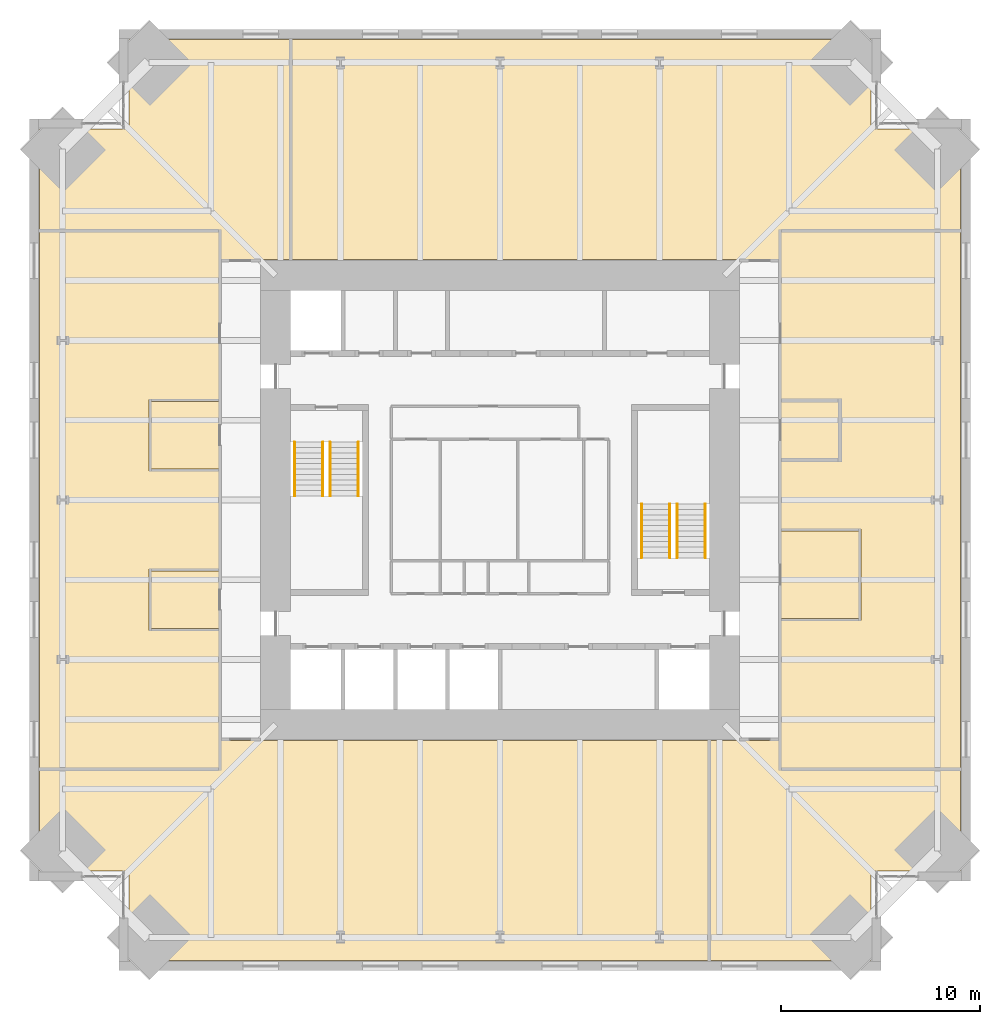
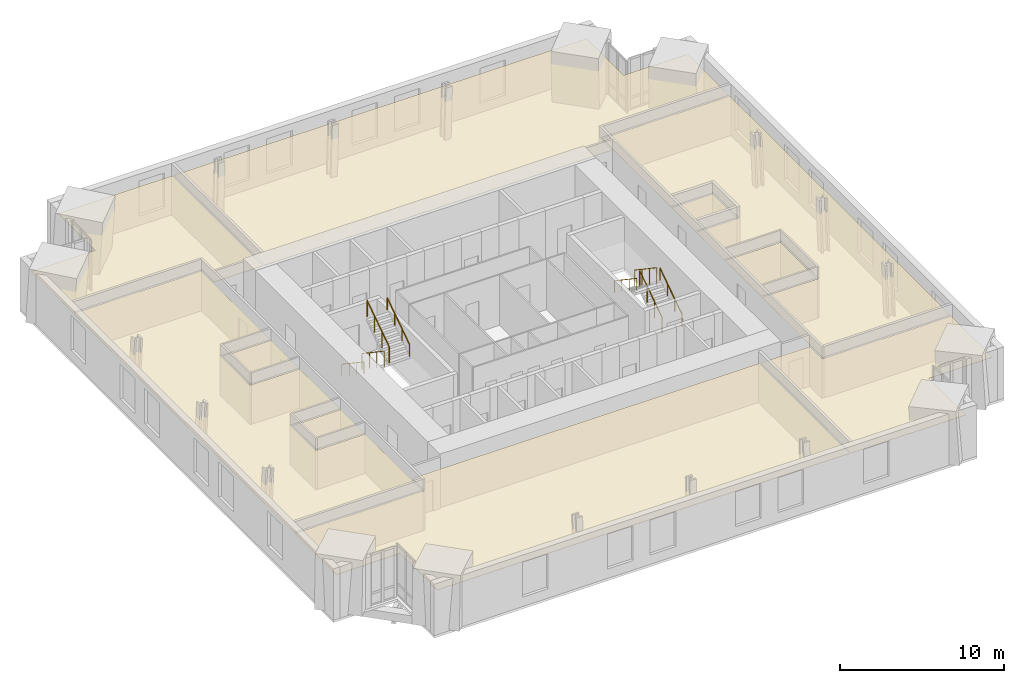
# One storey, part 14 of 14: 10 coverings, 8 railings.
"""IFC4 building model written with IfcOpenShell, lengths in metres."""

from ifc_helpers import new_model, si_unit, direction, frame, origin, origin_2d, place, context, subcontext, project, spatial, polyline, circle, outline, extrude, material, layer, layer_set, type_object, element, save


model = new_model("IFC4")

# Units and contexts
model_context = context("Model", 3, precision=1e-05, world=origin(), true_north=direction((0.0, 1.0)))
body_context = subcontext(model_context, "Body", "Model", "MODEL_VIEW")
ifc_project = project(units=[si_unit("LENGTHUNIT", "METRE"), si_unit("AREAUNIT", "SQUARE_METRE"), si_unit("VOLUMEUNIT", "CUBIC_METRE"), si_unit("PLANEANGLEUNIT", "RADIAN"), si_unit("MASSUNIT", "GRAM", prefix="KILO")], contexts=[model_context])

# Site, building, storey
site_placement = place(None, origin())
site = spatial("IfcSite", under=ifc_project, at=site_placement, CompositionType="ELEMENT")
building_placement = place(site_placement, origin())
building = spatial("IfcBuilding", under=site, at=building_placement, Name="Peilmerk Tower", CompositionType="ELEMENT")
storey_placement = place(building_placement, frame((0.0, 0.0, 221.800048828125)))
storey = spatial("IfcBuildingStorey", under=building, at=storey_placement, Name="L48", CompositionType="ELEMENT", Elevation=221.800048828125)

# Coverings
ifc_material_1 = material(Name="Mineral fibre ceiling tiles", Category="mineral")
ifc_layer = layer(ifc_material_1, 0.02490234375)
ifc_layer_set = layer_set([ifc_layer], Name="Mineral fibre ceiling tiles")
covering_type = type_object("IfcCoveringType", Name="CL1 25 suspended ceiling", PredefinedType="CEILING", material=ifc_layer_set)
covering_1_placement = place(storey_placement, frame((0.0, 0.0, 2.905029296875)))
element("IfcCovering", 1, at=covering_1_placement, inside=storey, type_object=covering_type, Name="Suspended ceiling Tenant suite", PredefinedType="CEILING", context=body_context, shape_type="SweptSolid", body=[
    extrude(outline(polyline([(-23.10009765625, 18.60009765625), (-23.10009765625, 13.550048828125), (-14.0, 13.550048828125), (-14.0, 12.050048828125), (-10.550048828125, 12.050048828125), (-10.550048828125, 23.10009765625), (-18.60009765625, 23.10009765625), (-18.60009765625, 18.60009765625), (-23.10009765625, 18.60009765625)])), origin(), (0.0, 0.0, 1.0), 0.02490234375),
])
covering_2_placement = place(storey_placement, frame((0.0, 0.0, 2.905029296875)))
element("IfcCovering", 2, at=covering_2_placement, inside=storey, type_object=covering_type, Name="Suspended ceiling Tenant suite", PredefinedType="CEILING", context=body_context, shape_type="SweptSolid", body=[
    extrude(outline(polyline([(18.60009765625, 23.10009765625), (-10.449951171875, 23.10009765625), (-10.449951171875, 12.050048828125), (14.0, 12.050048828125), (14.0, 13.550048828125), (23.10009765625, 13.550048828125), (23.10009765625, 18.60009765625), (18.60009765625, 18.60009765625), (18.60009765625, 23.10009765625)])), origin(), (0.0, 0.0, 1.0), 0.02490234375),
])
covering_3_placement = place(storey_placement, frame((0.0, 0.0, 2.905029296875)))
element("IfcCovering", 3, at=covering_3_placement, inside=storey, type_object=covering_type, Name="Suspended ceiling Tenant suite", PredefinedType="CEILING", context=body_context, shape_type="SweptSolid", body=[
    extrude(outline(polyline([(-18.60009765625, -23.10009765625), (10.449951171875, -23.10009765625), (10.449951171875, -12.050048828125), (-14.0, -12.050048828125), (-14.0, -13.550048828125), (-23.10009765625, -13.550048828125), (-23.10009765625, -18.60009765625), (-18.60009765625, -18.60009765625), (-18.60009765625, -23.10009765625)])), origin(), (0.0, 0.0, 1.0), 0.02490234375),
])
covering_4_placement = place(storey_placement, frame((0.0, 0.0, 2.905029296875)))
element("IfcCovering", 4, at=covering_4_placement, inside=storey, type_object=covering_type, Name="Suspended ceiling Open workspace", PredefinedType="CEILING", context=body_context, shape_type="SweptSolid", body=[
    extrude(outline(polyline([(10.550048828125, -23.10009765625), (18.60009765625, -23.10009765625), (18.60009765625, -18.60009765625), (23.10009765625, -18.60009765625), (23.10009765625, -13.550048828125), (14.0, -13.550048828125), (14.0, -12.050048828125), (10.550048828125, -12.050048828125), (10.550048828125, -23.10009765625)])), origin(), (0.0, 0.0, 1.0), 0.02490234375),
])
covering_5_placement = place(storey_placement, frame((0.0, 0.0, 2.905029296875)))
element("IfcCovering", 5, at=covering_5_placement, inside=storey, type_object=covering_type, Name="Suspended ceiling Office", PredefinedType="CEILING", context=body_context, shape_type="SweptSolid", body=[
    extrude(outline(polyline([(14.10009765625, -13.449951171875), (23.10009765625, -13.449951171875), (23.10009765625, 13.449951171875), (14.10009765625, 13.449951171875), (14.10009765625, 5.050048828125), (17.10009765625, 5.050048828125), (17.10009765625, 1.949951171875), (14.10009765625, 1.949951171875), (14.10009765625, -1.449951171875), (18.10009765625, -1.449951171875), (18.10009765625, -6.050048828125), (14.10009765625, -6.050048828125), (14.10009765625, -13.449951171875)])), origin(), (0.0, 0.0, 1.0), 0.02490234375),
])
covering_6_placement = place(storey_placement, frame((0.0, 0.0, 2.905029296875)))
element("IfcCovering", 6, at=covering_6_placement, inside=storey, type_object=covering_type, Name="Suspended ceiling Meeting room", PredefinedType="CEILING", context=body_context, shape_type="SweptSolid", body=[
    extrude(outline(polyline([(18.0, -5.949951171875), (18.0, -1.550048828125), (14.10009765625, -1.550048828125), (14.10009765625, -5.949951171875), (18.0, -5.949951171875)])), origin(), (0.0, 0.0, 1.0), 0.02490234375),
])
covering_7_placement = place(storey_placement, frame((0.0, 0.0, 2.905029296875)))
element("IfcCovering", 7, at=covering_7_placement, inside=storey, type_object=covering_type, Name="Suspended ceiling Print room", PredefinedType="CEILING", context=body_context, shape_type="SweptSolid", body=[
    extrude(outline(polyline([(17.0, 2.050048828125), (17.0, 4.949951171875), (14.10009765625, 4.949951171875), (14.10009765625, 2.050048828125), (17.0, 2.050048828125)])), origin(), (0.0, 0.0, 1.0), 0.02490234375),
])
covering_8_placement = place(storey_placement, frame((0.0, 0.0, 2.905029296875)))
element("IfcCovering", 8, at=covering_8_placement, inside=storey, type_object=covering_type, Name="Suspended ceiling Office", PredefinedType="CEILING", context=body_context, shape_type="SweptSolid", body=[
    extrude(outline(polyline([(-14.10009765625, 13.449951171875), (-23.10009765625, 13.449951171875), (-23.10009765625, -13.449951171875), (-14.10009765625, -13.449951171875), (-14.10009765625, -6.550048828125), (-17.60009765625, -6.550048828125), (-17.60009765625, -3.449951171875), (-14.10009765625, -3.449951171875), (-14.10009765625, 1.449951171875), (-17.60009765625, 1.449951171875), (-17.60009765625, 5.050048828125), (-14.10009765625, 5.050048828125), (-14.10009765625, 13.449951171875)])), origin(), (0.0, 0.0, 1.0), 0.02490234375),
])
covering_9_placement = place(storey_placement, frame((0.0, 0.0, 2.905029296875)))
element("IfcCovering", 9, at=covering_9_placement, inside=storey, type_object=covering_type, Name="Suspended ceiling Pantry", PredefinedType="CEILING", context=body_context, shape_type="SweptSolid", body=[
    extrude(outline(polyline([(-14.10009765625, 1.550048828125), (-14.10009765625, 4.949951171875), (-17.5, 4.949951171875), (-17.5, 1.550048828125), (-14.10009765625, 1.550048828125)])), origin(), (0.0, 0.0, 1.0), 0.02490234375),
])
covering_10_placement = place(storey_placement, frame((0.0, 0.0, 2.905029296875)))
element("IfcCovering", 10, at=covering_10_placement, inside=storey, type_object=covering_type, Name="Suspended ceiling Focus room", PredefinedType="CEILING", context=body_context, shape_type="SweptSolid", body=[
    extrude(outline(polyline([(-14.10009765625, -6.449951171875), (-14.10009765625, -3.550048828125), (-17.5, -3.550048828125), (-17.5, -6.449951171875), (-14.10009765625, -6.449951171875)])), origin(), (0.0, 0.0, 1.0), 0.02490234375),
])

# Railings
ifc_material_2 = material(Name="Steel flat bar balustrade", Category="steel")
railing_type_1 = type_object("IfcRailingType", Name="GR1 1200 stair guard", PredefinedType="GUARDRAIL", material=ifc_material_2)
railing_1_placement = place(storey_placement, frame((-8.8798828125, 2.89990234375, 0.181884765625)))
element("IfcRailing", 11, at=railing_1_placement, inside=storey, type_object=railing_type_1, Name="Guard stair 1 L48", PredefinedType="GUARDRAIL", context=body_context, shape_type="SweptSolid", body=[
    extrude(circle(Radius=0.02392578125, at=origin_2d()), frame((0.0, 0.0, 1.17578125), z_axis=(0.0, -0.829468130872, 0.55855404382), x_axis=(1.0, 0.0, 0.0)), (0.0, 0.0, 1.0), 3.255126953125),
    extrude(circle(Radius=0.02099609375, at=origin_2d()), origin(), (0.0, 0.0, 1.0), 1.15185546875),
    extrude(circle(Radius=0.02099609375, at=origin_2d()), frame((0.0, -0.89990234375, 0.60595703125)), (0.0, 0.0, 1.0), 1.15185546875),
    extrude(circle(Radius=0.02099609375, at=origin_2d()), frame((0.0, -1.800048828125, 1.212158203125)), (0.0, 0.0, 1.0), 1.15185546875),
    extrude(circle(Radius=0.02099609375, at=origin_2d()), frame((0.0, -2.699951171875, 1.818115234375)), (0.0, 0.0, 1.0), 1.15185546875),
])
for number, where, name in (
    (12, (-8.52001953125, 0.199951171875, 2.181884765625), "Guard stair 1 L48"),
    (13, (8.8798828125, -2.89990234375, 0.181884765625), "Guard stair 2 L48"),
):
    element("IfcRailing", number, at=place(storey_placement, frame(where)), inside=storey, type_object=railing_type_1, Name=name, PredefinedType="GUARDRAIL", context=body_context, shape_type="SweptSolid", body=[
        extrude(circle(Radius=0.02392578125, at=origin_2d()), frame((0.0, 0.0, 1.17578125), z_axis=(0.0, 0.829468130872, 0.55855404382), x_axis=(-1.0, 0.0, 0.0)), (0.0, 0.0, 1.0), 3.255126953125),
        extrude(circle(Radius=0.02099609375, at=origin_2d()), origin(), (0.0, 0.0, 1.0), 1.15185546875),
        extrude(circle(Radius=0.02099609375, at=origin_2d()), frame((0.0, 0.89990234375, 0.60595703125)), (0.0, 0.0, 1.0), 1.15185546875),
        extrude(circle(Radius=0.02099609375, at=origin_2d()), frame((0.0, 1.800048828125, 1.212158203125)), (0.0, 0.0, 1.0), 1.15185546875),
        extrude(circle(Radius=0.02099609375, at=origin_2d()), frame((0.0, 2.699951171875, 1.818115234375)), (0.0, 0.0, 1.0), 1.15185546875),
    ])
railing_2_placement = place(storey_placement, frame((8.52001953125, -0.199951171875, 2.181884765625)))
element("IfcRailing", 14, at=railing_2_placement, inside=storey, type_object=railing_type_1, Name="Guard stair 2 L48", PredefinedType="GUARDRAIL", context=body_context, shape_type="SweptSolid", body=[
    extrude(circle(Radius=0.02392578125, at=origin_2d()), frame((0.0, 0.0, 1.17578125), z_axis=(0.0, -0.829468130872, 0.55855404382), x_axis=(1.0, 0.0, 0.0)), (0.0, 0.0, 1.0), 3.255126953125),
    extrude(circle(Radius=0.02099609375, at=origin_2d()), origin(), (0.0, 0.0, 1.0), 1.15185546875),
    extrude(circle(Radius=0.02099609375, at=origin_2d()), frame((0.0, -0.89990234375, 0.60595703125)), (0.0, 0.0, 1.0), 1.15185546875),
    extrude(circle(Radius=0.02099609375, at=origin_2d()), frame((0.0, -1.800048828125, 1.212158203125)), (0.0, 0.0, 1.0), 1.15185546875),
    extrude(circle(Radius=0.02099609375, at=origin_2d()), frame((0.0, -2.699951171875, 1.818115234375)), (0.0, 0.0, 1.0), 1.15185546875),
])
ifc_material_3 = material(Name="Stainless steel tube", Category="steel")
railing_type_2 = type_object("IfcRailingType", Name="HR1 900 stair handrail", PredefinedType="HANDRAIL", material=ifc_material_3)
railing_3_placement = place(storey_placement, frame((-10.300048828125, 2.89990234375, 0.181884765625)))
element("IfcRailing", 15, at=railing_3_placement, inside=storey, type_object=railing_type_2, Name="Handrail stair 1 L48", PredefinedType="HANDRAIL", context=body_context, shape_type="SweptSolid", body=[
    extrude(circle(Radius=0.02392578125, at=origin_2d()), frame((0.0, 0.0, 0.8759765625), z_axis=(0.0, -0.829468130872, 0.55855404382), x_axis=(1.0, 0.0, 0.0)), (0.0, 0.0, 1.0), 3.255126953125),
    extrude(circle(Radius=0.02099609375, at=origin_2d()), origin(), (0.0, 0.0, 1.0), 0.851806640625),
    extrude(circle(Radius=0.02099609375, at=origin_2d()), frame((0.0, -0.89990234375, 0.60595703125)), (0.0, 0.0, 1.0), 0.851806640625),
    extrude(circle(Radius=0.02099609375, at=origin_2d()), frame((0.0, -1.800048828125, 1.212158203125)), (0.0, 0.0, 1.0), 0.851806640625),
    extrude(circle(Radius=0.02099609375, at=origin_2d()), frame((0.0, -2.699951171875, 1.818115234375)), (0.0, 0.0, 1.0), 0.851806640625),
])
for number, where, name in (
    (16, (-7.10009765625, 0.199951171875, 2.181884765625), "Handrail stair 1 L48"),
    (17, (10.300048828125, -2.89990234375, 0.181884765625), "Handrail stair 2 L48"),
):
    element("IfcRailing", number, at=place(storey_placement, frame(where)), inside=storey, type_object=railing_type_2, Name=name, PredefinedType="HANDRAIL", context=body_context, shape_type="SweptSolid", body=[
        extrude(circle(Radius=0.02392578125, at=origin_2d()), frame((0.0, 0.0, 0.8759765625), z_axis=(0.0, 0.829468130872, 0.55855404382), x_axis=(-1.0, 0.0, 0.0)), (0.0, 0.0, 1.0), 3.255126953125),
        extrude(circle(Radius=0.02099609375, at=origin_2d()), origin(), (0.0, 0.0, 1.0), 0.851806640625),
        extrude(circle(Radius=0.02099609375, at=origin_2d()), frame((0.0, 0.89990234375, 0.60595703125)), (0.0, 0.0, 1.0), 0.851806640625),
        extrude(circle(Radius=0.02099609375, at=origin_2d()), frame((0.0, 1.800048828125, 1.212158203125)), (0.0, 0.0, 1.0), 0.851806640625),
        extrude(circle(Radius=0.02099609375, at=origin_2d()), frame((0.0, 2.699951171875, 1.818115234375)), (0.0, 0.0, 1.0), 0.851806640625),
    ])
railing_4_placement = place(storey_placement, frame((7.10009765625, -0.199951171875, 2.181884765625)))
element("IfcRailing", 18, at=railing_4_placement, inside=storey, type_object=railing_type_2, Name="Handrail stair 2 L48", PredefinedType="HANDRAIL", context=body_context, shape_type="SweptSolid", body=[
    extrude(circle(Radius=0.02392578125, at=origin_2d()), frame((0.0, 0.0, 0.8759765625), z_axis=(0.0, -0.829468130872, 0.55855404382), x_axis=(1.0, 0.0, 0.0)), (0.0, 0.0, 1.0), 3.255126953125),
    extrude(circle(Radius=0.02099609375, at=origin_2d()), origin(), (0.0, 0.0, 1.0), 0.851806640625),
    extrude(circle(Radius=0.02099609375, at=origin_2d()), frame((0.0, -0.89990234375, 0.60595703125)), (0.0, 0.0, 1.0), 0.851806640625),
    extrude(circle(Radius=0.02099609375, at=origin_2d()), frame((0.0, -1.800048828125, 1.212158203125)), (0.0, 0.0, 1.0), 0.851806640625),
    extrude(circle(Radius=0.02099609375, at=origin_2d()), frame((0.0, -2.699951171875, 1.818115234375)), (0.0, 0.0, 1.0), 0.851806640625),
])

save(model, "model.ifc")
